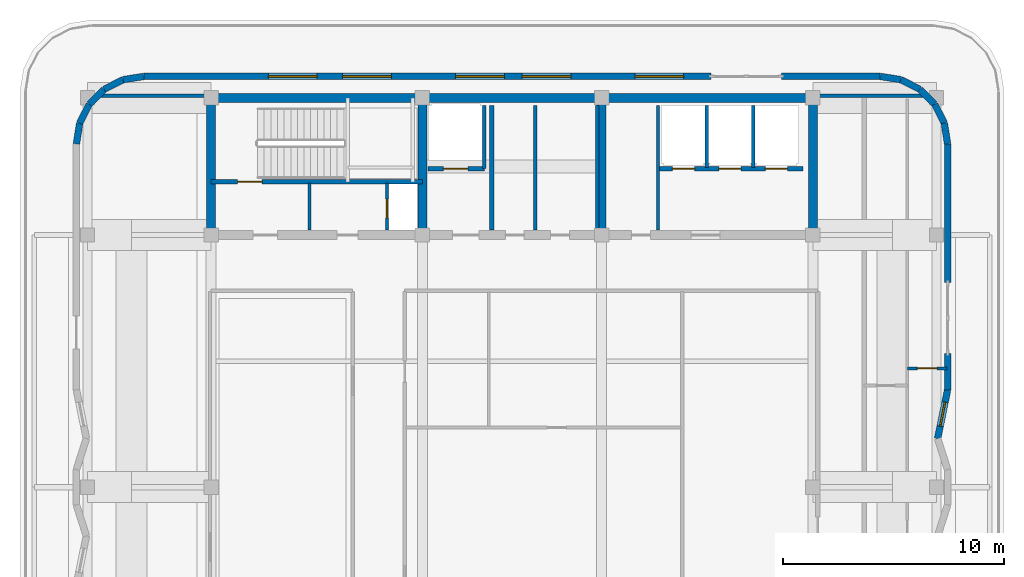
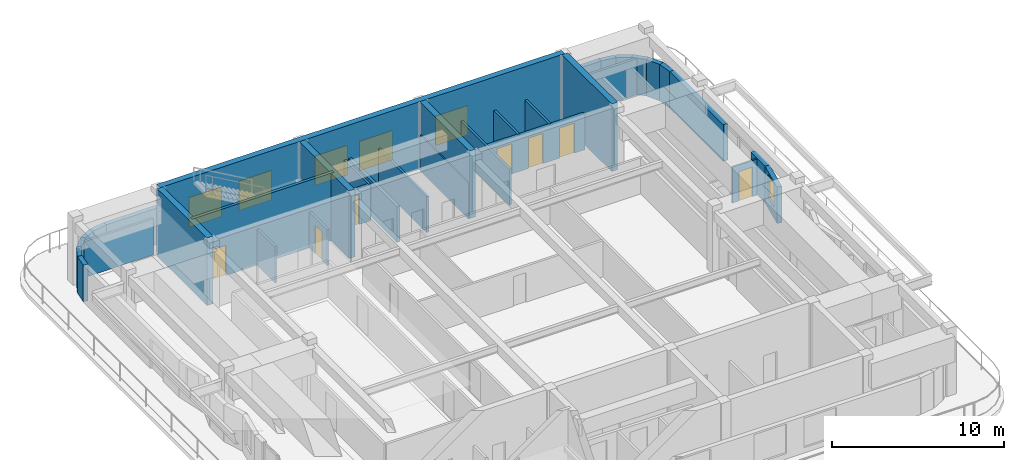
# One storey, part 8 of 12: 35 walls, 7 doors, 6 windows, 13 openings.
"""IFC4 building model written with IfcOpenShell, lengths in metres."""

from ifc_helpers import new_model, si_unit, direction, frame, frame_2d, origin, place, context, subcontext, project, spatial, rectangle, extrude, material, layer, layer_set, type_object, element, fill, save


model = new_model("IFC4")

# Units and contexts
model_context = context("Model", 3, precision=1e-05, world=origin(), true_north=direction((0.0, 1.0)))
body_context = subcontext(model_context, "Body", "Model", "MODEL_VIEW")
ifc_project = project(units=[si_unit("LENGTHUNIT", "METRE"), si_unit("AREAUNIT", "SQUARE_METRE"), si_unit("VOLUMEUNIT", "CUBIC_METRE"), si_unit("PLANEANGLEUNIT", "RADIAN"), si_unit("MASSUNIT", "GRAM", prefix="KILO")], contexts=[model_context])

# Site, building, storey
site_placement = place(None, origin())
site = spatial("IfcSite", under=ifc_project, at=site_placement, CompositionType="ELEMENT")
building_placement = place(site_placement, origin())
building = spatial("IfcBuilding", under=site, at=building_placement, Name="Svetorya Sky Lyceum", CompositionType="ELEMENT")
storey_placement = place(building_placement, frame((0.0, 0.0, 297.199951171875)))
storey = spatial("IfcBuildingStorey", under=building, at=storey_placement, Name="L75", CompositionType="ELEMENT", Elevation=297.199951171875)

# Walls
ifc_material_1 = material(Name="Concrete C40/50", Category="concrete")
ifc_layer_1 = layer(ifc_material_1, 0.39990234375)
ifc_layer_set_1 = layer_set([ifc_layer_1], Name="Concrete C40/50")
wall_type_1 = type_object("IfcWallType", Name="WL-CORE-400", PredefinedType="SHEAR", material=ifc_layer_set_1)
wall_1_placement = place(storey_placement, frame((25.60009765625, 45.800048828125, 0.0), z_axis=(0.0, 0.0, 1.0), x_axis=(1.0, 0.0, 0.0)))
element("IfcWall", 1, at=wall_1_placement, inside=storey, type_object=wall_type_1, Name="L75 NC Outer Core Shear Wall", PredefinedType="SHEAR", context=body_context, shape_type="SweptSolid", body=[
    extrude(rectangle(XDim=27.199951171875, YDim=0.39990234375, at=frame_2d((13.60009765625, 0.0))), origin(), (0.0, 0.0, 1.0), 4.800048828125),
])
for number, where, z_axis, x_axis, name in (
    (2, (25.60009765625, 39.800048828125, 0.0), (0.0, 0.0, 1.0), (0.0, 1.0, 0.0), "L75 NC West Core Shear Wall"),
    (3, (52.800048828125, 39.800048828125, 0.0), (0.0, 0.0, 1.0), (0.0, 1.0, 0.0), "L75 NC East Core Shear Wall"),
    (4, (35.14990234375, 39.800048828125, 0.0), (0.0, 0.0, 1.0), (0.0, 1.0, 0.0), "L75 NC Internal Shear Web WEB1"),
    (5, (43.25, 39.800048828125, 0.0), (0.0, 0.0, 1.0), (0.0, 1.0, 0.0), "L75 NC Internal Shear Web WEB2"),
):
    element("IfcWall", number, at=place(storey_placement, frame(where, z_axis=z_axis, x_axis=x_axis)), inside=storey, type_object=wall_type_1, Name=name, PredefinedType="SHEAR", context=body_context, shape_type="SweptSolid", body=[
        extrude(rectangle(XDim=5.800048828125, YDim=0.39990234375, at=frame_2d((2.89990234375, 0.0))), origin(), (0.0, 0.0, 1.0), 4.800048828125),
    ])

# Wall, opening, window
ifc_material_2 = material(Name="Putilovo limestone rainscreen on autoclaved cellular masonry", Category="masonry")
ifc_layer_2 = layer(ifc_material_2, 0.300048828125)
ifc_layer_set_2 = layer_set([ifc_layer_2], Name="Putilovo limestone rainscreen on autoclaved cellular masonry")
wall_type_2 = type_object("IfcWallType", Name="WL-EXT-300", PredefinedType="SOLIDWALL", material=ifc_layer_set_2)
wall_2_placement = place(storey_placement, frame((58.43994140625, 30.39990234375, 0.0), z_axis=(0.0, 0.0, 1.0), x_axis=(0.200358291506, 0.979722692921, 0.0)))
wall_2 = element("IfcWall", 6, at=wall_2_placement, inside=storey, type_object=wall_type_2, Name="L75 Limestone Exterior Wall 17M", PredefinedType="SOLIDWALL", context=body_context, shape_type="SweptSolid", body=[
    extrude(rectangle(XDim=2.245849609375, YDim=0.300048828125, at=frame_2d((1.123046875, 0.0))), origin(), (0.0, 0.0, 1.0), 2.60009765625),
])
opening_1_placement = place(wall_2_placement, frame((0.57275390625, 0.0, 0.7900390625)))
opening_1 = element("IfcOpeningElement", 7, at=opening_1_placement, cuts=wall_2, Name="Opening W-R3", PredefinedType="OPENING", context=body_context, shape_type="SweptSolid", body=[
    extrude(rectangle(XDim=1.10009765625, YDim=1.64990234375, at=frame_2d((0.550048828125, 0.824951171875))), frame((0.0, 0.159912109375, 0.0), z_axis=(0.0, -1.0, 0.0), x_axis=(1.0, 0.0, 0.0)), (0.0, 0.0, 1.0), 0.320068359375),
])
ifc_material_3 = material(Name="Thermally broken aluminium frame with triple low-E glazing", Category="aluminium")
window_type_1 = type_object("IfcWindowType", Name="WN-RES-110", PartitioningType="SINGLE_PANEL", PredefinedType="WINDOW", material=ifc_material_3)
window_1_placement = place(opening_1_placement, origin())
window_1 = element("IfcWindow", 8, at=window_1_placement, inside=storey, type_object=window_type_1, Name="L75 Facade Window W-R3.17M.1", OverallHeight=1.64990234375, OverallWidth=1.10009765625, PartitioningType="SINGLE_PANEL", PredefinedType="WINDOW", context=body_context, shape_type="SweptSolid", body=[
    extrude(rectangle(XDim=1.10009765625, YDim=1.64990234375, at=frame_2d((0.550048828125, 0.824951171875))), frame((0.0, 0.030029296875, 0.0), z_axis=(0.0, -1.0, 0.0), x_axis=(1.0, 0.0, 0.0)), (0.0, 0.0, 1.0), 0.06005859375),
])
fill(opening_1, window_1)

# Walls
wall_3_placement = place(storey_placement, frame((58.889892578125, 32.60009765625, 0.0), z_axis=(0.0, 0.0, 1.0), x_axis=(0.0, 1.0, 0.0)))
element("IfcWall", 9, at=wall_3_placement, inside=storey, type_object=wall_type_2, Name="L75 Limestone Exterior Wall 18A", PredefinedType="SOLIDWALL", context=body_context, shape_type="SweptSolid", body=[
    extrude(rectangle(XDim=1.64990234375, YDim=0.300048828125, at=frame_2d((0.824951171875, 0.0))), origin(), (0.0, 0.0, 1.0), 2.60009765625),
])
wall_4_placement = place(storey_placement, frame((58.889892578125, 37.449951171875, 0.0), z_axis=(0.0, 0.0, 1.0), x_axis=(0.0, 1.0, 0.0)))
element("IfcWall", 10, at=wall_4_placement, inside=storey, type_object=wall_type_2, Name="L75 Limestone Exterior Wall 18B", PredefinedType="SOLIDWALL", context=body_context, shape_type="SweptSolid", body=[
    extrude(rectangle(XDim=6.27001953125, YDim=0.300048828125, at=frame_2d((3.135009765625, 0.0))), origin(), (0.0, 0.0, 1.0), 2.60009765625),
])
wall_5_placement = place(storey_placement, frame((58.889892578125, 43.719970703125, 0.0), z_axis=(0.0, 0.0, 1.0), x_axis=(-0.156304114255, 0.987708977314, 0.0)))
element("IfcWall", 11, at=wall_5_placement, inside=storey, type_object=wall_type_2, Name="L75 Limestone Exterior Wall 19M", PredefinedType="SOLIDWALL", context=body_context, shape_type="SweptSolid", body=[
    extrude(rectangle(XDim=0.954345703125, YDim=0.300048828125, at=frame_2d((0.47705078125, 0.0))), origin(), (0.0, 0.0, 1.0), 2.60009765625),
])
wall_6_placement = place(storey_placement, frame((58.74072265625, 44.66259765625, 0.0), z_axis=(0.0, 0.0, 1.0), x_axis=(-0.45395644796, 0.891023873617, 0.0)))
element("IfcWall", 12, at=wall_6_placement, inside=storey, type_object=wall_type_2, Name="L75 Limestone Exterior Wall 20M", PredefinedType="SOLIDWALL", context=body_context, shape_type="SweptSolid", body=[
    extrude(rectangle(XDim=0.9541015625, YDim=0.300048828125, at=frame_2d((0.47705078125, 0.0))), origin(), (0.0, 0.0, 1.0), 2.60009765625),
])
for number, where, z_axis, x_axis, name in (
    (13, (58.3076171875, 45.5126953125, 0.0), (0.0, 0.0, 1.0), (-0.707106781187, 0.707106781187, 0.0), "L75 Limestone Exterior Wall 21M"),
    (14, (57.6328125, 46.1875, 0.0), (0.0, 0.0, 1.0), (-0.891076589373, 0.453852962833, 0.0), "L75 Limestone Exterior Wall 22M"),
):
    element("IfcWall", number, at=place(storey_placement, frame(where, z_axis=z_axis, x_axis=x_axis)), inside=storey, type_object=wall_type_2, Name=name, PredefinedType="SOLIDWALL", context=body_context, shape_type="SweptSolid", body=[
        extrude(rectangle(XDim=0.954345703125, YDim=0.300048828125, at=frame_2d((0.47705078125, 0.0))), origin(), (0.0, 0.0, 1.0), 2.60009765625),
    ])
wall_7_placement = place(storey_placement, frame((56.782470703125, 46.62060546875, 0.0), z_axis=(0.0, 0.0, 1.0), x_axis=(-0.987663181641, 0.156593229835, 0.0)))
element("IfcWall", 15, at=wall_7_placement, inside=storey, type_object=wall_type_2, Name="L75 Limestone Exterior Wall 23M", PredefinedType="SOLIDWALL", context=body_context, shape_type="SweptSolid", body=[
    extrude(rectangle(XDim=0.9541015625, YDim=0.300048828125, at=frame_2d((0.47705078125, 0.0))), origin(), (0.0, 0.0, 1.0), 2.60009765625),
])
wall_8_placement = place(storey_placement, frame((55.840087890625, 46.77001953125, 0.0), z_axis=(0.0, 0.0, 1.0), x_axis=(-1.0, 0.0, 0.0)))
element("IfcWall", 16, at=wall_8_placement, inside=storey, type_object=wall_type_2, Name="L75 Limestone Exterior Wall 24A", PredefinedType="SOLIDWALL", context=body_context, shape_type="SweptSolid", body=[
    extrude(rectangle(XDim=4.4501953125, YDim=0.300048828125, at=frame_2d((2.22509765625, 0.0))), origin(), (0.0, 0.0, 1.0), 2.60009765625),
])

# Wall, openings, windows
wall_9_placement = place(storey_placement, frame((48.18994140625, 46.77001953125, 0.0), z_axis=(0.0, 0.0, 1.0), x_axis=(-1.0, 0.0, 0.0)))
wall_9 = element("IfcWall", 17, at=wall_9_placement, inside=storey, type_object=wall_type_2, Name="L75 Limestone Exterior Wall 24B", PredefinedType="SOLIDWALL", context=body_context, shape_type="SweptSolid", body=[
    extrude(rectangle(XDim=25.6298828125, YDim=0.300048828125, at=frame_2d((12.81494140625, 0.0))), origin(), (0.0, 0.0, 1.0), 2.60009765625),
])
opening_2_placement = place(wall_9_placement, frame((1.2275390625, 0.0, 0.3798828125)))
opening_2 = element("IfcOpeningElement", 18, at=opening_2_placement, cuts=wall_9, Name="Opening W-O1", PredefinedType="OPENING", context=body_context, shape_type="SweptSolid", body=[
    extrude(rectangle(XDim=2.199951171875, YDim=2.10009765625, at=frame_2d((1.10009765625, 1.050048828125))), frame((0.0, 0.159912109375, 0.0), z_axis=(0.0, -1.0, 0.0), x_axis=(1.0, 0.0, 0.0)), (0.0, 0.0, 1.0), 0.320068359375),
])
opening_3_placement = place(wall_9_placement, frame((6.33251953125, 0.0, 0.3798828125)))
opening_3 = element("IfcOpeningElement", 19, at=opening_3_placement, cuts=wall_9, Name="Opening W-O1", PredefinedType="OPENING", context=body_context, shape_type="SweptSolid", body=[
    extrude(rectangle(XDim=2.199951171875, YDim=2.10009765625, at=frame_2d((1.10009765625, 1.050048828125))), frame((0.0, 0.159912109375, 0.0), z_axis=(0.0, -1.0, 0.0), x_axis=(1.0, 0.0, 0.0)), (0.0, 0.0, 1.0), 0.320068359375),
])
opening_4_placement = place(wall_9_placement, frame((9.33740234375, 0.0, 0.3798828125)))
opening_4 = element("IfcOpeningElement", 20, at=opening_4_placement, cuts=wall_9, Name="Opening W-O1", PredefinedType="OPENING", context=body_context, shape_type="SweptSolid", body=[
    extrude(rectangle(XDim=2.199951171875, YDim=2.10009765625, at=frame_2d((1.10009765625, 1.050048828125))), frame((0.0, 0.159912109375, 0.0), z_axis=(0.0, -1.0, 0.0), x_axis=(1.0, 0.0, 0.0)), (0.0, 0.0, 1.0), 0.320068359375),
])
opening_5_placement = place(wall_9_placement, frame((14.4423828125, 0.0, 0.3798828125)))
opening_5 = element("IfcOpeningElement", 21, at=opening_5_placement, cuts=wall_9, Name="Opening W-O1", PredefinedType="OPENING", context=body_context, shape_type="SweptSolid", body=[
    extrude(rectangle(XDim=2.199951171875, YDim=2.10009765625, at=frame_2d((1.10009765625, 1.050048828125))), frame((0.0, 0.159912109375, 0.0), z_axis=(0.0, -1.0, 0.0), x_axis=(1.0, 0.0, 0.0)), (0.0, 0.0, 1.0), 0.320068359375),
])
opening_6_placement = place(wall_9_placement, frame((17.797607421875, 0.0, 0.3798828125)))
opening_6 = element("IfcOpeningElement", 22, at=opening_6_placement, cuts=wall_9, Name="Opening W-O1", PredefinedType="OPENING", context=body_context, shape_type="SweptSolid", body=[
    extrude(rectangle(XDim=2.199951171875, YDim=2.10009765625, at=frame_2d((1.10009765625, 1.050048828125))), frame((0.0, 0.159912109375, 0.0), z_axis=(0.0, -1.0, 0.0), x_axis=(1.0, 0.0, 0.0)), (0.0, 0.0, 1.0), 0.320068359375),
])
window_type_2 = type_object("IfcWindowType", Name="WN-OBS-220", PartitioningType="TRIPLE_PANEL_VERTICAL", PredefinedType="WINDOW", material=ifc_material_3)
window_2_placement = place(opening_2_placement, origin())
window_2 = element("IfcWindow", 23, at=window_2_placement, inside=storey, type_object=window_type_2, Name="L75 Facade Window W-O1.24B.1", OverallHeight=2.10009765625, OverallWidth=2.199951171875, PartitioningType="SINGLE_PANEL", PredefinedType="WINDOW", context=body_context, shape_type="SweptSolid", body=[
    extrude(rectangle(XDim=2.199951171875, YDim=2.10009765625, at=frame_2d((1.10009765625, 1.050048828125))), frame((0.0, 0.030029296875, 0.0), z_axis=(0.0, -1.0, 0.0), x_axis=(1.0, 0.0, 0.0)), (0.0, 0.0, 1.0), 0.06005859375),
])
fill(opening_2, window_2)
window_3_placement = place(opening_3_placement, origin())
window_3 = element("IfcWindow", 24, at=window_3_placement, inside=storey, type_object=window_type_2, Name="L75 Facade Window W-O1.24B.2", OverallHeight=2.10009765625, OverallWidth=2.199951171875, PartitioningType="SINGLE_PANEL", PredefinedType="WINDOW", context=body_context, shape_type="SweptSolid", body=[
    extrude(rectangle(XDim=2.199951171875, YDim=2.10009765625, at=frame_2d((1.10009765625, 1.050048828125))), frame((0.0, 0.030029296875, 0.0), z_axis=(0.0, -1.0, 0.0), x_axis=(1.0, 0.0, 0.0)), (0.0, 0.0, 1.0), 0.06005859375),
])
fill(opening_3, window_3)
window_4_placement = place(opening_4_placement, origin())
window_4 = element("IfcWindow", 25, at=window_4_placement, inside=storey, type_object=window_type_2, Name="L75 Facade Window W-O1.24B.3", OverallHeight=2.10009765625, OverallWidth=2.199951171875, PartitioningType="SINGLE_PANEL", PredefinedType="WINDOW", context=body_context, shape_type="SweptSolid", body=[
    extrude(rectangle(XDim=2.199951171875, YDim=2.10009765625, at=frame_2d((1.10009765625, 1.050048828125))), frame((0.0, 0.030029296875, 0.0), z_axis=(0.0, -1.0, 0.0), x_axis=(1.0, 0.0, 0.0)), (0.0, 0.0, 1.0), 0.06005859375),
])
fill(opening_4, window_4)
window_5_placement = place(opening_5_placement, origin())
window_5 = element("IfcWindow", 26, at=window_5_placement, inside=storey, type_object=window_type_2, Name="L75 Facade Window W-O1.24B.4", OverallHeight=2.10009765625, OverallWidth=2.199951171875, PartitioningType="SINGLE_PANEL", PredefinedType="WINDOW", context=body_context, shape_type="SweptSolid", body=[
    extrude(rectangle(XDim=2.199951171875, YDim=2.10009765625, at=frame_2d((1.10009765625, 1.050048828125))), frame((0.0, 0.030029296875, 0.0), z_axis=(0.0, -1.0, 0.0), x_axis=(1.0, 0.0, 0.0)), (0.0, 0.0, 1.0), 0.06005859375),
])
fill(opening_5, window_5)
window_6_placement = place(opening_6_placement, origin())
window_6 = element("IfcWindow", 27, at=window_6_placement, inside=storey, type_object=window_type_2, Name="L75 Facade Window W-O1.24B.5", OverallHeight=2.10009765625, OverallWidth=2.199951171875, PartitioningType="SINGLE_PANEL", PredefinedType="WINDOW", context=body_context, shape_type="SweptSolid", body=[
    extrude(rectangle(XDim=2.199951171875, YDim=2.10009765625, at=frame_2d((1.10009765625, 1.050048828125))), frame((0.0, 0.030029296875, 0.0), z_axis=(0.0, -1.0, 0.0), x_axis=(1.0, 0.0, 0.0)), (0.0, 0.0, 1.0), 0.06005859375),
])
fill(opening_6, window_6)

# Walls
wall_10_placement = place(storey_placement, frame((22.56005859375, 46.77001953125, 0.0), z_axis=(0.0, 0.0, 1.0), x_axis=(-0.987669453596, -0.156553666304, 0.0)))
element("IfcWall", 28, at=wall_10_placement, inside=storey, type_object=wall_type_2, Name="L75 Limestone Exterior Wall 25M", PredefinedType="SOLIDWALL", context=body_context, shape_type="SweptSolid", body=[
    extrude(rectangle(XDim=0.954345703125, YDim=0.300048828125, at=frame_2d((0.47705078125, 0.0))), origin(), (0.0, 0.0, 1.0), 2.60009765625),
])
wall_11_placement = place(storey_placement, frame((21.617431640625, 46.62060546875, 0.0), z_axis=(0.0, 0.0, 1.0), x_axis=(-0.891023873617, -0.45395644796, 0.0)))
element("IfcWall", 29, at=wall_11_placement, inside=storey, type_object=wall_type_2, Name="L75 Limestone Exterior Wall 26M", PredefinedType="SOLIDWALL", context=body_context, shape_type="SweptSolid", body=[
    extrude(rectangle(XDim=0.9541015625, YDim=0.300048828125, at=frame_2d((0.47705078125, 0.0))), origin(), (0.0, 0.0, 1.0), 2.60009765625),
])
wall_12_placement = place(storey_placement, frame((20.767333984375, 46.1875, 0.0), z_axis=(0.0, 0.0, 1.0), x_axis=(-0.707106781187, -0.707106781187, 0.0)))
element("IfcWall", 30, at=wall_12_placement, inside=storey, type_object=wall_type_2, Name="L75 Limestone Exterior Wall 27M", PredefinedType="SOLIDWALL", context=body_context, shape_type="SweptSolid", body=[
    extrude(rectangle(XDim=0.954345703125, YDim=0.300048828125, at=frame_2d((0.47705078125, 0.0))), origin(), (0.0, 0.0, 1.0), 2.60009765625),
])
wall_13_placement = place(storey_placement, frame((20.092529296875, 45.5126953125, 0.0), z_axis=(0.0, 0.0, 1.0), x_axis=(-0.454159573051, -0.890920356825, 0.0)))
element("IfcWall", 31, at=wall_13_placement, inside=storey, type_object=wall_type_2, Name="L75 Limestone Exterior Wall 28M", PredefinedType="SOLIDWALL", context=body_context, shape_type="SweptSolid", body=[
    extrude(rectangle(XDim=0.9541015625, YDim=0.300048828125, at=frame_2d((0.47705078125, 0.0))), origin(), (0.0, 0.0, 1.0), 2.60009765625),
])
wall_14_placement = place(storey_placement, frame((19.6591796875, 44.66259765625, 0.0), z_axis=(0.0, 0.0, 1.0), x_axis=(-0.156304114255, -0.987708977314, 0.0)))
element("IfcWall", 32, at=wall_14_placement, inside=storey, type_object=wall_type_2, Name="L75 Limestone Exterior Wall 29M", PredefinedType="SOLIDWALL", context=body_context, shape_type="SweptSolid", body=[
    extrude(rectangle(XDim=0.954345703125, YDim=0.300048828125, at=frame_2d((0.47705078125, 0.0))), origin(), (0.0, 0.0, 1.0), 2.60009765625),
])

# Wall, opening, door
ifc_material_4 = material(Name="Twin-stud galvanized framing with double fireboard", Category="gypsum")
ifc_layer_3 = layer(ifc_material_4, 0.1201171875)
ifc_layer_set_3 = layer_set([ifc_layer_3], Name="Twin-stud galvanized framing with double fireboard")
wall_type_3 = type_object("IfcWallType", Name="WL-PART-120", PredefinedType="PARTITIONING", material=ifc_layer_set_3)
wall_15_placement = place(storey_placement, frame((57.070068359375, 33.570068359375, 0.0), z_axis=(0.0, 0.0, 1.0), x_axis=(1.0, 0.0, 0.0)))
wall_15 = element("IfcWall", 33, at=wall_15_placement, inside=storey, type_object=wall_type_3, Name="L75 Interior Partition PH1-WL2", PredefinedType="PARTITIONING", context=body_context, shape_type="SweptSolid", body=[
    extrude(rectangle(XDim=1.800048828125, YDim=0.1201171875, at=frame_2d((0.89990234375, 0.0))), origin(), (0.0, 0.0, 1.0), 2.56005859375),
])
opening_7_placement = place(wall_15_placement, frame((0.449951171875, 0.0, 0.0)))
opening_7 = element("IfcOpeningElement", 34, at=opening_7_placement, cuts=wall_15, Name="Opening D-RM1", PredefinedType="OPENING", context=body_context, shape_type="SweptSolid", body=[
    extrude(rectangle(XDim=0.89990234375, YDim=2.10009765625, at=frame_2d((0.449951171875, 1.050048828125))), frame((0.0, 0.070068359375, 0.0), z_axis=(0.0, -1.0, 0.0), x_axis=(1.0, 0.0, 0.0)), (0.0, 0.0, 1.0), 0.14013671875),
])
ifc_material_5 = material(Name="Lacquered birch veneer internal door")
door_type_1 = type_object("IfcDoorType", Name="DR-INT-900", OperationType="SINGLE_SWING_LEFT", PredefinedType="DOOR", material=ifc_material_5)
door_1_placement = place(opening_7_placement, origin())
door_1 = element("IfcDoor", 35, at=door_1_placement, inside=storey, type_object=door_type_1, Name="Apartment PH1 Bedroom 2 Door", OperationType="SINGLE_SWING_RIGHT", OverallHeight=2.10009765625, OverallWidth=0.89990234375, PredefinedType="DOOR", context=body_context, shape_type="SweptSolid", body=[
    extrude(rectangle(XDim=0.89990234375, YDim=2.10009765625, at=frame_2d((0.449951171875, 1.050048828125))), frame((0.0, 0.02490234375, 0.0), z_axis=(0.0, -1.0, 0.0), x_axis=(1.0, 0.0, 0.0)), (0.0, 0.0, 1.0), 0.050048828125),
])
fill(opening_7, door_1)

ifc_material_6 = material(Name="Autoclaved cellular masonry blockwork with acoustic render", Category="masonry")
ifc_layer_4 = layer(ifc_material_6, 0.14990234375)
ifc_layer_set_4 = layer_set([ifc_layer_4], Name="Autoclaved cellular masonry blockwork with acoustic render")
wall_type_4 = type_object("IfcWallType", Name="WL-PART-150", PredefinedType="PARTITIONING", material=ifc_layer_set_4)
wall_16_placement = place(storey_placement, frame((33.550048828125, 39.820068359375, 0.0), z_axis=(0.0, 0.0, 1.0), x_axis=(0.0, 1.0, 0.0)))
wall_16 = element("IfcWall", 36, at=wall_16_placement, inside=storey, type_object=wall_type_4, Name="L75 Interior Partition NC-RSRW", PredefinedType="PARTITIONING", context=body_context, shape_type="SweptSolid", body=[
    extrude(rectangle(XDim=2.1298828125, YDim=0.14990234375, at=frame_2d((1.06494140625, 0.0))), origin(), (0.0, 0.0, 1.0), 2.56005859375),
])
opening_8_placement = place(wall_16_placement, frame((0.550048828125, 0.0, 0.0)))
opening_8 = element("IfcOpeningElement", 37, at=opening_8_placement, cuts=wall_16, Name="Opening D-SH1", PredefinedType="OPENING", context=body_context, shape_type="SweptSolid", body=[
    extrude(rectangle(XDim=0.85009765625, YDim=2.050048828125, at=frame_2d((0.425048828125, 1.02490234375))), frame((0.0, 0.0849609375, 0.0), z_axis=(0.0, -1.0, 0.0), x_axis=(1.0, 0.0, 0.0)), (0.0, 0.0, 1.0), 0.169921875),
])
ifc_material_7 = material(Name="Insulated galvanized riser inspection fire door")
door_type_2 = type_object("IfcDoorType", Name="DR-SHFT-850", OperationType="SINGLE_SWING_LEFT", PredefinedType="TRAPDOOR", material=ifc_material_7)
door_2_placement = place(opening_8_placement, origin())
door_2 = element("IfcDoor", 38, at=door_2_placement, inside=storey, type_object=door_type_2, Name="L75 North Riser Access Door", OperationType="SINGLE_SWING_LEFT", OverallHeight=2.050048828125, OverallWidth=0.85009765625, PredefinedType="TRAPDOOR", context=body_context, shape_type="SweptSolid", body=[
    extrude(rectangle(XDim=0.85009765625, YDim=2.050048828125, at=frame_2d((0.425048828125, 1.02490234375))), frame((0.0, 0.02490234375, 0.0), z_axis=(0.0, -1.0, 0.0), x_axis=(1.0, 0.0, 0.0)), (0.0, 0.0, 1.0), 0.050048828125),
])
fill(opening_8, door_2)

# Walls
wall_17_placement = place(storey_placement, frame((30.050048828125, 39.820068359375, 0.0), z_axis=(0.0, 0.0, 1.0), x_axis=(0.0, 1.0, 0.0)))
element("IfcWall", 39, at=wall_17_placement, inside=storey, type_object=wall_type_4, Name="L75 Interior Partition NC-NWD1", PredefinedType="PARTITIONING", context=body_context, shape_type="SweptSolid", body=[
    extrude(rectangle(XDim=2.1298828125, YDim=0.14990234375, at=frame_2d((1.06494140625, 0.0))), origin(), (0.0, 0.0, 1.0), 2.56005859375),
])
wall_18_placement = place(storey_placement, frame((37.949951171875, 42.60009765625, 0.0), z_axis=(0.0, 0.0, 1.0), x_axis=(0.0, 1.0, 0.0)))
element("IfcWall", 40, at=wall_18_placement, inside=storey, type_object=wall_type_4, Name="L75 Interior Partition NC-FL1SIDE", PredefinedType="PARTITIONING", context=body_context, shape_type="SweptSolid", body=[
    extrude(rectangle(XDim=2.849853515625, YDim=0.14990234375, at=frame_2d((1.4248046875, 0.0))), origin(), (0.0, 0.0, 1.0), 2.56005859375),
])
for number, where, z_axis, x_axis, name in (
    (41, (43.050048828125, 39.820068359375, 0.0), (0.0, 0.0, 1.0), (0.0, 1.0, 0.0), "L75 Interior Partition NC-FPM-END"),
    (42, (40.25, 39.820068359375, 0.0), (0.0, 0.0, 1.0), (0.0, 1.0, 0.0), "L75 Interior Partition NC-FPM-V2"),
    (43, (45.800048828125, 39.820068359375, 0.0), (0.0, 0.0, 1.0), (0.0, 1.0, 0.0), "L75 Interior Partition NC-PM3-FULL"),
):
    element("IfcWall", number, at=place(storey_placement, frame(where, z_axis=z_axis, x_axis=x_axis)), inside=storey, type_object=wall_type_4, Name=name, PredefinedType="PARTITIONING", context=body_context, shape_type="SweptSolid", body=[
        extrude(rectangle(XDim=5.6298828125, YDim=0.14990234375, at=frame_2d((2.81494140625, 0.0))), origin(), (0.0, 0.0, 1.0), 2.56005859375),
    ])
for number, where, z_axis, x_axis, name in (
    (44, (48.0, 42.64990234375, 0.0), (0.0, 0.0, 1.0), (0.0, 1.0, 0.0), "L75 Interior Partition NC-PH-D1"),
    (45, (50.10009765625, 42.64990234375, 0.0), (0.0, 0.0, 1.0), (0.0, 1.0, 0.0), "L75 Interior Partition NC-PH-D2"),
):
    element("IfcWall", number, at=place(storey_placement, frame(where, z_axis=z_axis, x_axis=x_axis)), inside=storey, type_object=wall_type_4, Name=name, PredefinedType="PARTITIONING", context=body_context, shape_type="SweptSolid", body=[
        extrude(rectangle(XDim=2.800048828125, YDim=0.14990234375, at=frame_2d((1.39990234375, 0.0))), origin(), (0.0, 0.0, 1.0), 2.56005859375),
    ])
wall_19_placement = place(storey_placement, frame((20.440185546875, 45.89990234375, 0.0), z_axis=(0.0, 0.0, 1.0), x_axis=(1.0, 0.0, 0.0)))
element("IfcWall", 46, at=wall_19_placement, inside=storey, type_object=wall_type_4, Name="L75 Interior Partition OBS-WN", PredefinedType="PARTITIONING", context=body_context, shape_type="SweptSolid", body=[
    extrude(rectangle(XDim=4.85986328125, YDim=0.14990234375, at=frame_2d((2.429931640625, 0.0))), origin(), (0.0, 0.0, 1.0), 2.56005859375),
])
wall_20_placement = place(storey_placement, frame((53.10009765625, 45.89990234375, 0.0), z_axis=(0.0, 0.0, 1.0), x_axis=(1.0, 0.0, 0.0)))
element("IfcWall", 47, at=wall_20_placement, inside=storey, type_object=wall_type_4, Name="L75 Interior Partition OBS-EN", PredefinedType="PARTITIONING", context=body_context, shape_type="SweptSolid", body=[
    extrude(rectangle(XDim=4.859619140625, YDim=0.14990234375, at=frame_2d((2.4296875, 0.0))), origin(), (0.0, 0.0, 1.0), 2.56005859375),
])

# Wall, opening, door
ifc_material_8 = material(Name="Autoclaved cellular masonry blockwork with gypsum plaster", Category="masonry")
ifc_layer_5 = layer(ifc_material_8, 0.199951171875)
ifc_layer_set_5 = layer_set([ifc_layer_5], Name="Autoclaved cellular masonry blockwork with gypsum plaster")
wall_type_5 = type_object("IfcWallType", Name="WL-PART-200", PredefinedType="PARTITIONING", material=ifc_layer_set_5)
wall_21_placement = place(storey_placement, frame((37.949951171875, 42.60009765625, 0.0), z_axis=(0.0, 0.0, 1.0), x_axis=(-1.0, 0.0, 0.0)))
wall_21 = element("IfcWall", 48, at=wall_21_placement, inside=storey, type_object=wall_type_5, Name="L75 Interior Partition NC-FL1W", PredefinedType="PARTITIONING", context=body_context, shape_type="SweptSolid", body=[
    extrude(rectangle(XDim=2.550048828125, YDim=0.199951171875, at=frame_2d((1.27490234375, 0.0))), origin(), (0.0, 0.0, 1.0), 2.56005859375),
])
opening_9_placement = place(wall_21_placement, frame((0.75, 0.0, 0.0)))
opening_9 = element("IfcOpeningElement", 49, at=opening_9_placement, cuts=wall_21, Name="Opening LD-FL", PredefinedType="OPENING", context=body_context, shape_type="SweptSolid", body=[
    extrude(rectangle(XDim=1.10009765625, YDim=2.14990234375, at=frame_2d((0.550048828125, 1.074951171875))), frame((0.0, 0.10986328125, 0.0), z_axis=(0.0, -1.0, 0.0), x_axis=(1.0, 0.0, 0.0)), (0.0, 0.0, 1.0), 0.219970703125),
])
ifc_material_9 = material(Name="Fire-rated stainless AISI 304 firefighting lift landing door")
door_type_3 = type_object("IfcDoorType", Name="DR-LIFT-1100", OperationType="SLIDING_TO_LEFT", PredefinedType="DOOR", material=ifc_material_9)
door_3_placement = place(opening_9_placement, origin())
door_3 = element("IfcDoor", 50, at=door_3_placement, inside=storey, type_object=door_type_3, Name="L75 Firefighting Lift FL1 Landing Door", OperationType="SLIDING_TO_LEFT", OverallHeight=2.14990234375, OverallWidth=1.10009765625, PredefinedType="DOOR", context=body_context, shape_type="SweptSolid", body=[
    extrude(rectangle(XDim=1.10009765625, YDim=2.14990234375, at=frame_2d((0.550048828125, 1.074951171875))), frame((0.0, 0.02490234375, 0.0), z_axis=(0.0, -1.0, 0.0), x_axis=(1.0, 0.0, 0.0)), (0.0, 0.0, 1.0), 0.050048828125),
])
fill(opening_9, door_3)

# Wall
wall_22_placement = place(storey_placement, frame((38.280029296875, 39.820068359375, 0.0), z_axis=(0.0, 0.0, 1.0), x_axis=(0.0, 1.0, 0.0)))
element("IfcWall", 51, at=wall_22_placement, inside=storey, type_object=wall_type_5, Name="L75 Interior Partition NC-FFLDIV", PredefinedType="PARTITIONING", context=body_context, shape_type="SweptSolid", body=[
    extrude(rectangle(XDim=5.6298828125, YDim=0.199951171875, at=frame_2d((2.81494140625, 0.0))), origin(), (0.0, 0.0, 1.0), 2.56005859375),
])

# Wall, openings, doors
wall_23_placement = place(storey_placement, frame((52.35009765625, 42.60009765625, 0.0), z_axis=(0.0, 0.0, 1.0), x_axis=(-1.0, 0.0, 0.0)))
wall_23 = element("IfcWall", 52, at=wall_23_placement, inside=storey, type_object=wall_type_5, Name="L75 Interior Partition NC-PHEW", PredefinedType="PARTITIONING", context=body_context, shape_type="SweptSolid", body=[
    extrude(rectangle(XDim=6.5, YDim=0.199951171875, at=frame_2d((3.25, 0.0))), origin(), (0.0, 0.0, 1.0), 2.56005859375),
])
opening_10_placement = place(wall_23_placement, frame((4.89990234375, 0.0, 0.0)))
opening_10 = element("IfcOpeningElement", 53, at=opening_10_placement, cuts=wall_23, Name="Opening LD-P1", PredefinedType="OPENING", context=body_context, shape_type="SweptSolid", body=[
    extrude(rectangle(XDim=1.0, YDim=2.14990234375, at=frame_2d((0.5, 1.074951171875))), frame((0.0, 0.10986328125, 0.0), z_axis=(0.0, -1.0, 0.0), x_axis=(1.0, 0.0, 0.0)), (0.0, 0.0, 1.0), 0.219970703125),
])
opening_11_placement = place(wall_23_placement, frame((2.800048828125, 0.0, 0.0)))
opening_11 = element("IfcOpeningElement", 54, at=opening_11_placement, cuts=wall_23, Name="Opening LD-P1", PredefinedType="OPENING", context=body_context, shape_type="SweptSolid", body=[
    extrude(rectangle(XDim=1.0, YDim=2.14990234375, at=frame_2d((0.5, 1.074951171875))), frame((0.0, 0.10986328125, 0.0), z_axis=(0.0, -1.0, 0.0), x_axis=(1.0, 0.0, 0.0)), (0.0, 0.0, 1.0), 0.219970703125),
])
opening_12_placement = place(wall_23_placement, frame((0.699951171875, 0.0, 0.0)))
opening_12 = element("IfcOpeningElement", 55, at=opening_12_placement, cuts=wall_23, Name="Opening LD-P1", PredefinedType="OPENING", context=body_context, shape_type="SweptSolid", body=[
    extrude(rectangle(XDim=1.0, YDim=2.14990234375, at=frame_2d((0.5, 1.074951171875))), frame((0.0, 0.10986328125, 0.0), z_axis=(0.0, -1.0, 0.0), x_axis=(1.0, 0.0, 0.0)), (0.0, 0.0, 1.0), 0.219970703125),
])
ifc_material_10 = material(Name="Champagne-anodized stainless passenger lift landing door")
door_type_4 = type_object("IfcDoorType", Name="DR-LIFT-1000", OperationType="SLIDING_TO_LEFT", PredefinedType="DOOR", material=ifc_material_10)
door_4_placement = place(opening_10_placement, origin())
door_4 = element("IfcDoor", 56, at=door_4_placement, inside=storey, type_object=door_type_4, Name="L75 Passenger Lift PH1 Landing Door", OperationType="SLIDING_TO_LEFT", OverallHeight=2.14990234375, OverallWidth=1.0, PredefinedType="DOOR", context=body_context, shape_type="SweptSolid", body=[
    extrude(rectangle(XDim=1.0, YDim=2.14990234375, at=frame_2d((0.5, 1.074951171875))), frame((0.0, 0.02490234375, 0.0), z_axis=(0.0, -1.0, 0.0), x_axis=(1.0, 0.0, 0.0)), (0.0, 0.0, 1.0), 0.050048828125),
])
fill(opening_10, door_4)
door_5_placement = place(opening_11_placement, origin())
door_5 = element("IfcDoor", 57, at=door_5_placement, inside=storey, type_object=door_type_4, Name="L75 Passenger Lift PH2 Landing Door", OperationType="SLIDING_TO_LEFT", OverallHeight=2.14990234375, OverallWidth=1.0, PredefinedType="DOOR", context=body_context, shape_type="SweptSolid", body=[
    extrude(rectangle(XDim=1.0, YDim=2.14990234375, at=frame_2d((0.5, 1.074951171875))), frame((0.0, 0.02490234375, 0.0), z_axis=(0.0, -1.0, 0.0), x_axis=(1.0, 0.0, 0.0)), (0.0, 0.0, 1.0), 0.050048828125),
])
fill(opening_11, door_5)
door_6_placement = place(opening_12_placement, origin())
door_6 = element("IfcDoor", 58, at=door_6_placement, inside=storey, type_object=door_type_4, Name="L75 Passenger Lift PH3 Landing Door", OperationType="SLIDING_TO_LEFT", OverallHeight=2.14990234375, OverallWidth=1.0, PredefinedType="DOOR", context=body_context, shape_type="SweptSolid", body=[
    extrude(rectangle(XDim=1.0, YDim=2.14990234375, at=frame_2d((0.5, 1.074951171875))), frame((0.0, 0.02490234375, 0.0), z_axis=(0.0, -1.0, 0.0), x_axis=(1.0, 0.0, 0.0)), (0.0, 0.0, 1.0), 0.050048828125),
])
fill(opening_12, door_6)

# Wall, opening, door
ifc_material_11 = material(Name="Concrete C50/60", Category="concrete")
ifc_layer_6 = layer(ifc_material_11, 0.199951171875)
ifc_layer_set_6 = layer_set([ifc_layer_6], Name="Concrete C50/60")
wall_type_6 = type_object("IfcWallType", Name="WL-SHW-200", PredefinedType="SHEAR", material=ifc_layer_set_6)
wall_24_placement = place(storey_placement, frame((35.14990234375, 42.0, 0.0), z_axis=(0.0, 0.0, 1.0), x_axis=(-1.0, 0.0, 0.0)))
wall_24 = element("IfcWall", 59, at=wall_24_placement, inside=storey, type_object=wall_type_6, Name="L75 Structural Stair Shaft Wall NC-STW", PredefinedType="SHEAR", context=body_context, shape_type="SweptSolid", body=[
    extrude(rectangle(XDim=9.5498046875, YDim=0.199951171875, at=frame_2d((4.77490234375, 0.0))), origin(), (0.0, 0.0, 1.0), 4.800048828125),
])
opening_13_placement = place(wall_24_placement, frame((7.25, 0.0, 0.0)))
opening_13 = element("IfcOpeningElement", 60, at=opening_13_placement, cuts=wall_24, Name="Opening D-ST1", PredefinedType="OPENING", context=body_context, shape_type="SweptSolid", body=[
    extrude(rectangle(XDim=1.10009765625, YDim=2.14990234375, at=frame_2d((0.550048828125, 1.074951171875))), frame((0.0, 0.10986328125, 0.0), z_axis=(0.0, -1.0, 0.0), x_axis=(1.0, 0.0, 0.0)), (0.0, 0.0, 1.0), 0.219970703125),
])
ifc_material_12 = material(Name="Powder-coated insulated galvanized stair fire door")
door_type_5 = type_object("IfcDoorType", Name="DR-FIRE-1100", OperationType="SINGLE_SWING_LEFT", PredefinedType="DOOR", material=ifc_material_12)
door_7_placement = place(opening_13_placement, origin())
door_7 = element("IfcDoor", 61, at=door_7_placement, inside=storey, type_object=door_type_5, Name="L75 Stair ST-N Vestibule Fire Door", OperationType="SINGLE_SWING_RIGHT", OverallHeight=2.14990234375, OverallWidth=1.10009765625, PredefinedType="DOOR", context=body_context, shape_type="SweptSolid", body=[
    extrude(rectangle(XDim=1.10009765625, YDim=2.14990234375, at=frame_2d((0.550048828125, 1.074951171875))), frame((0.0, 0.02490234375, 0.0), z_axis=(0.0, -1.0, 0.0), x_axis=(1.0, 0.0, 0.0)), (0.0, 0.0, 1.0), 0.050048828125),
])
fill(opening_13, door_7)

save(model, "model.ifc")
